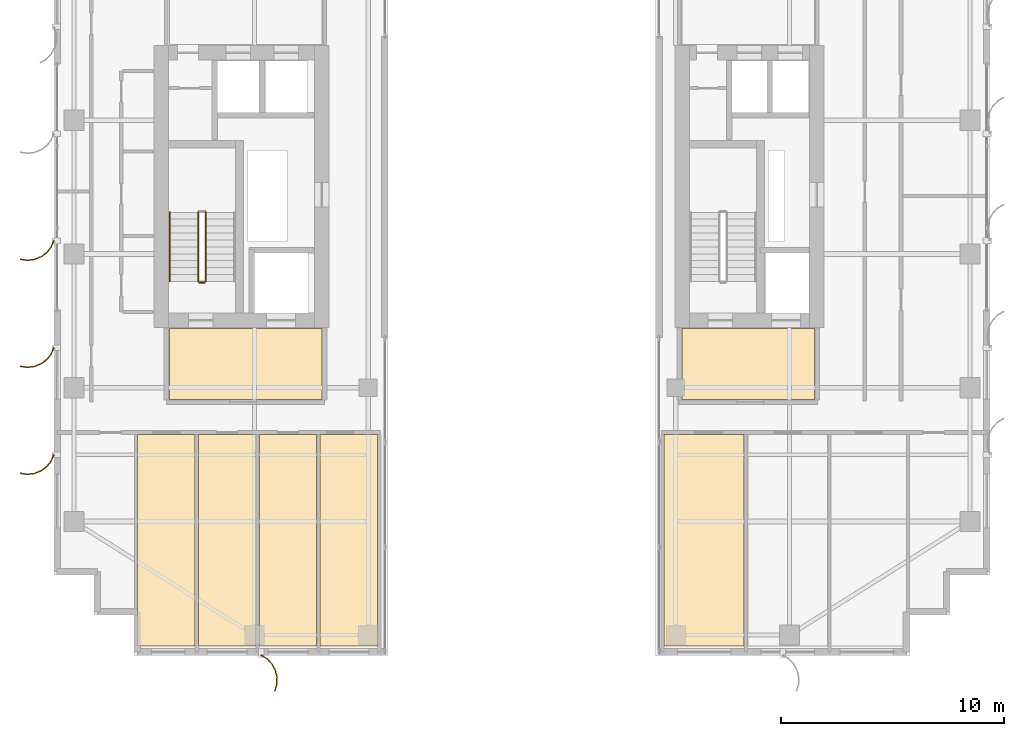
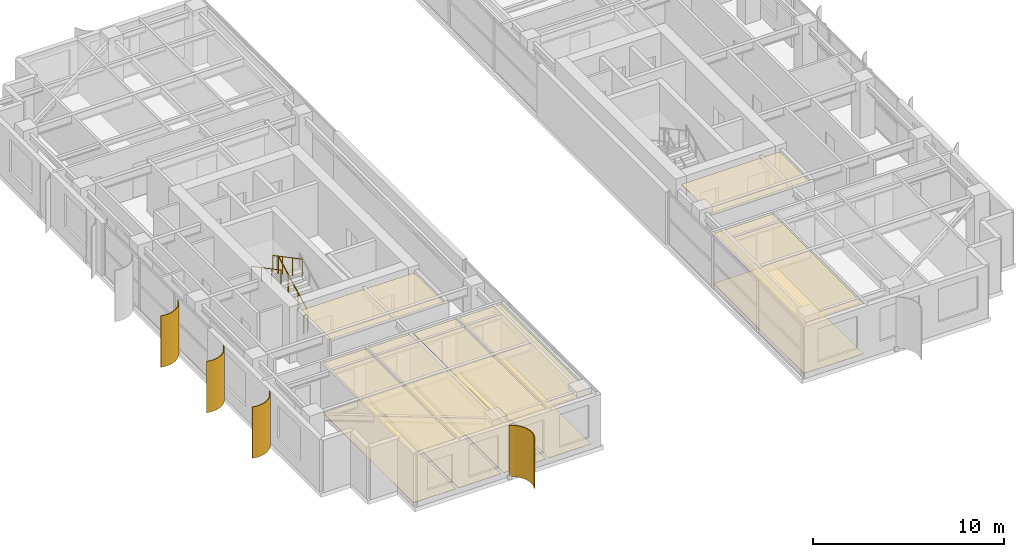
# One storey, part 20 of 22: 12 coverings, 4 railings, 4 shading devices.
"""IFC4 building model written with IfcOpenShell, lengths in metres."""

from ifc_helpers import new_model, si_unit, direction, frame, origin, origin_2d, place, context, subcontext, project, spatial, polyline, circle, outline, extrude, source, transform, mapped, material, layer, layer_set, type_object, element, save


model = new_model("IFC4")

# Units and contexts
model_context = context("Model", 3, precision=1e-05, world=origin(), true_north=direction((0.0, 1.0)))
body_context = subcontext(model_context, "Body", "Model", "MODEL_VIEW")
ifc_project = project(units=[si_unit("LENGTHUNIT", "METRE"), si_unit("AREAUNIT", "SQUARE_METRE"), si_unit("VOLUMEUNIT", "CUBIC_METRE"), si_unit("PLANEANGLEUNIT", "RADIAN"), si_unit("MASSUNIT", "GRAM", prefix="KILO")], contexts=[model_context])

# Site, building, storey
site_placement = place(None, origin())
site = spatial("IfcSite", under=ifc_project, at=site_placement, CompositionType="ELEMENT")
building_placement = place(site_placement, origin())
building = spatial("IfcBuilding", under=site, at=building_placement, Name="Khoralis Quay Care Tower", CompositionType="ELEMENT")
storey_placement = place(building_placement, frame((0.0, 0.0, 188.10009765625)))
storey = spatial("IfcBuildingStorey", under=building, at=storey_placement, Name="L49", CompositionType="ELEMENT", Elevation=188.10009765625)

# Coverings
ifc_material_1 = material(Name="Mineral-fibre acoustic ceiling tile")
ifc_layer_1 = layer(ifc_material_1, 0.01806640625)
ifc_layer_set_1 = layer_set([ifc_layer_1], Name="Mineral-fibre acoustic ceiling tile")
covering_type_1 = type_object("IfcCoveringType", Name="COV-CEIL-AC18", PredefinedType="CEILING", material=ifc_layer_set_1)
covering_1_placement = place(storey_placement, frame((0.0, 0.0, 3.19189453125)))
element("IfcCovering", 1, at=covering_1_placement, inside=storey, type_object=covering_type_1, Name="Suspended Acoustic Ceiling SP-L49-FFLOB-W", PredefinedType="CEILING", context=body_context, shape_type="SweptSolid", body=[
    extrude(outline(polyline([(8.179931640625, 11.47998046875), (15.02001953125, 11.47998046875), (15.02001953125, 14.64990234375), (8.179931640625, 14.64990234375), (8.179931640625, 11.47998046875)])), origin(), (0.0, 0.0, 1.0), 0.01806640625),
])
covering_2_placement = place(storey_placement, frame((0.0, 0.0, 3.19189453125)))
element("IfcCovering", 2, at=covering_2_placement, inside=storey, type_object=covering_type_1, Name="Suspended Acoustic Ceiling SP-L49-FFLOB-E", PredefinedType="CEILING", context=body_context, shape_type="SweptSolid", body=[
    extrude(outline(polyline([(31.179931640625, 11.47998046875), (37.1201171875, 11.47998046875), (37.1201171875, 14.64990234375), (31.179931640625, 14.64990234375), (31.179931640625, 11.47998046875)])), origin(), (0.0, 0.0, 1.0), 0.01806640625),
])
covering_3_placement = place(storey_placement, frame((0.0, 0.0, 3.19189453125)))
element("IfcCovering", 3, at=covering_3_placement, inside=storey, type_object=covering_type_1, Name="Suspended Acoustic Ceiling SP-L49-WS-COM0", PredefinedType="CEILING", context=body_context, shape_type="SweptSolid", body=[
    extrude(outline(polyline([(6.760009765625, 0.419921875), (9.330078125, 0.419921875), (9.330078125, 9.909912109375), (6.760009765625, 9.909912109375), (6.760009765625, 0.419921875)])), origin(), (0.0, 0.0, 1.0), 0.01806640625),
])
covering_4_placement = place(storey_placement, frame((0.0, 0.0, 3.19189453125)))
element("IfcCovering", 4, at=covering_4_placement, inside=storey, type_object=covering_type_1, Name="Suspended Acoustic Ceiling SP-L49-WS-COM1", PredefinedType="CEILING", context=body_context, shape_type="SweptSolid", body=[
    extrude(outline(polyline([(9.489990234375, 0.419921875), (12.06005859375, 0.419921875), (12.06005859375, 9.909912109375), (9.489990234375, 9.909912109375), (9.489990234375, 0.419921875)])), origin(), (0.0, 0.0, 1.0), 0.01806640625),
])
covering_5_placement = place(storey_placement, frame((0.0, 0.0, 3.19189453125)))
element("IfcCovering", 5, at=covering_5_placement, inside=storey, type_object=covering_type_1, Name="Suspended Acoustic Ceiling SP-L49-WS-COM2", PredefinedType="CEILING", context=body_context, shape_type="SweptSolid", body=[
    extrude(outline(polyline([(12.219970703125, 0.419921875), (14.7900390625, 0.419921875), (14.7900390625, 9.909912109375), (12.219970703125, 9.909912109375), (12.219970703125, 0.419921875)])), origin(), (0.0, 0.0, 1.0), 0.01806640625),
])
covering_6_placement = place(storey_placement, frame((0.0, 0.0, 3.19189453125)))
element("IfcCovering", 6, at=covering_6_placement, inside=storey, type_object=covering_type_1, Name="Suspended Acoustic Ceiling SP-L49-WS-COM3", PredefinedType="CEILING", context=body_context, shape_type="SweptSolid", body=[
    extrude(outline(polyline([(14.949951171875, 0.419921875), (17.52001953125, 0.419921875), (17.52001953125, 9.909912109375), (14.949951171875, 9.909912109375), (14.949951171875, 0.419921875)])), origin(), (0.0, 0.0, 1.0), 0.01806640625),
])
covering_7_placement = place(storey_placement, frame((0.0, 0.0, 3.19189453125)))
element("IfcCovering", 7, at=covering_7_placement, inside=storey, type_object=covering_type_1, Name="Suspended Acoustic Ceiling SP-L49-ES-COM0", PredefinedType="CEILING", context=body_context, shape_type="SweptSolid", body=[
    extrude(outline(polyline([(30.3798828125, 0.419921875), (33.969970703125, 0.419921875), (33.969970703125, 9.909912109375), (30.3798828125, 9.909912109375), (30.3798828125, 0.419921875)])), origin(), (0.0, 0.0, 1.0), 0.01806640625),
])
ifc_material_2 = material(Name="Porcelain and non-slip vinyl flooring")
ifc_layer_2 = layer(ifc_material_2, 0.02001953125)
ifc_layer_set_2 = layer_set([ifc_layer_2], Name="Porcelain and non-slip vinyl flooring")
covering_type_2 = type_object("IfcCoveringType", Name="COV-FLOOR-20", PredefinedType="FLOORING", material=ifc_layer_set_2)
covering_8_placement = place(storey_placement, origin())
element("IfcCovering", 8, at=covering_8_placement, inside=storey, type_object=covering_type_2, Name="Resilient Healthcare Flooring SP-L49-WS-COM0", PredefinedType="FLOORING", context=body_context, shape_type="SweptSolid", body=[
    extrude(outline(polyline([(6.760009765625, 0.419921875), (9.330078125, 0.419921875), (9.330078125, 9.909912109375), (6.760009765625, 9.909912109375), (6.760009765625, 0.419921875)])), origin(), (0.0, 0.0, 1.0), 0.02001953125),
])
covering_9_placement = place(storey_placement, origin())
element("IfcCovering", 9, at=covering_9_placement, inside=storey, type_object=covering_type_2, Name="Resilient Healthcare Flooring SP-L49-WS-COM1", PredefinedType="FLOORING", context=body_context, shape_type="SweptSolid", body=[
    extrude(outline(polyline([(9.489990234375, 0.419921875), (12.06005859375, 0.419921875), (12.06005859375, 9.909912109375), (9.489990234375, 9.909912109375), (9.489990234375, 0.419921875)])), origin(), (0.0, 0.0, 1.0), 0.02001953125),
])
covering_10_placement = place(storey_placement, origin())
element("IfcCovering", 10, at=covering_10_placement, inside=storey, type_object=covering_type_2, Name="Resilient Healthcare Flooring SP-L49-WS-COM2", PredefinedType="FLOORING", context=body_context, shape_type="SweptSolid", body=[
    extrude(outline(polyline([(12.219970703125, 0.419921875), (14.7900390625, 0.419921875), (14.7900390625, 9.909912109375), (12.219970703125, 9.909912109375), (12.219970703125, 0.419921875)])), origin(), (0.0, 0.0, 1.0), 0.02001953125),
])
covering_11_placement = place(storey_placement, origin())
element("IfcCovering", 11, at=covering_11_placement, inside=storey, type_object=covering_type_2, Name="Resilient Healthcare Flooring SP-L49-WS-COM3", PredefinedType="FLOORING", context=body_context, shape_type="SweptSolid", body=[
    extrude(outline(polyline([(14.949951171875, 0.419921875), (17.52001953125, 0.419921875), (17.52001953125, 9.909912109375), (14.949951171875, 9.909912109375), (14.949951171875, 0.419921875)])), origin(), (0.0, 0.0, 1.0), 0.02001953125),
])
covering_12_placement = place(storey_placement, origin())
element("IfcCovering", 12, at=covering_12_placement, inside=storey, type_object=covering_type_2, Name="Resilient Healthcare Flooring SP-L49-ES-COM0", PredefinedType="FLOORING", context=body_context, shape_type="SweptSolid", body=[
    extrude(outline(polyline([(30.3798828125, 0.419921875), (33.969970703125, 0.419921875), (33.969970703125, 9.909912109375), (30.3798828125, 9.909912109375), (30.3798828125, 0.419921875)])), origin(), (0.0, 0.0, 1.0), 0.02001953125),
])

# Railings
ifc_material_3 = material(Name="Brushed stainless steel", Category="steel")
railing_type_1 = type_object("IfcRailingType", Name="RL-GUARD-1150", PredefinedType="GUARDRAIL", material=ifc_material_3)
railing_1_placement = place(storey_placement, frame((9.820068359375, 16.77001953125, 0.16357421875)))
element("IfcRailing", 13, at=railing_1_placement, inside=storey, type_object=railing_type_1, Name="L49 ST-T1 stair guard 1", PredefinedType="GUARDRAIL", context=body_context, shape_type="SweptSolid", body=[
    extrude(circle(Radius=0.02392578125, at=origin_2d()), frame((0.0, 0.0, 1.1259765625), z_axis=(0.0, 0.884376766648, 0.46677375099), x_axis=(-1.0, 0.0, 0.0)), (0.0, 0.0, 1.0), 3.50537109375),
    extrude(circle(Radius=0.02099609375, at=origin_2d()), origin(), (0.0, 0.0, 1.0), 1.101806640625),
    extrude(circle(Radius=0.02099609375, at=origin_2d()), frame((0.0, 1.033447265625, 0.54541015625)), (0.0, 0.0, 1.0), 1.101806640625),
    extrude(circle(Radius=0.02099609375, at=origin_2d()), frame((0.0, 2.066650390625, 1.0908203125)), (0.0, 0.0, 1.0), 1.101806640625),
    extrude(circle(Radius=0.02099609375, at=origin_2d()), frame((0.0, 3.10009765625, 1.63623046875)), (0.0, 0.0, 1.0), 1.101806640625),
])
railing_2_placement = place(storey_placement, frame((9.47998046875, 19.8701171875, 1.963623046875)))
element("IfcRailing", 14, at=railing_2_placement, inside=storey, type_object=railing_type_1, Name="L49 ST-T1 stair guard 3", PredefinedType="GUARDRAIL", context=body_context, shape_type="SweptSolid", body=[
    extrude(circle(Radius=0.02392578125, at=origin_2d()), frame((0.0, 0.0, 1.1259765625), z_axis=(0.0, -0.884376766648, 0.46677375099), x_axis=(1.0, 0.0, 0.0)), (0.0, 0.0, 1.0), 3.50537109375),
    extrude(circle(Radius=0.02099609375, at=origin_2d()), origin(), (0.0, 0.0, 1.0), 1.101806640625),
    extrude(circle(Radius=0.02099609375, at=origin_2d()), frame((0.0, -1.033447265625, 0.54541015625)), (0.0, 0.0, 1.0), 1.101806640625),
    extrude(circle(Radius=0.02099609375, at=origin_2d()), frame((0.0, -2.066650390625, 1.0908203125)), (0.0, 0.0, 1.0), 1.101806640625),
    extrude(circle(Radius=0.02099609375, at=origin_2d()), frame((0.0, -3.10009765625, 1.63623046875)), (0.0, 0.0, 1.0), 1.101806640625),
])
railing_3_placement = place(storey_placement, frame((9.77001953125, 16.719970703125, 0.0)))
element("IfcRailing", 15, at=railing_3_placement, inside=storey, type_object=railing_type_1, Name="L49 ST-T1 stair guard 4", PredefinedType="GUARDRAIL", context=body_context, shape_type="SweptSolid", body=[
    extrude(circle(Radius=0.02392578125, at=origin_2d()), frame((0.0, 0.0, 1.1259765625), z_axis=(-1.0, 0.0, 0.0), x_axis=(0.0, -1.0, 0.0)), (0.0, 0.0, 1.0), 0.239990234375),
    extrude(circle(Radius=0.02099609375, at=origin_2d()), origin(), (0.0, 0.0, 1.0), 1.101806640625),
    extrude(circle(Radius=0.02099609375, at=origin_2d()), frame((-0.239990234375, 0.0, 0.0)), (0.0, 0.0, 1.0), 1.101806640625),
])
railing_type_2 = type_object("IfcRailingType", Name="RL-HAND-900", PredefinedType="HANDRAIL", material=ifc_material_3)
railing_4_placement = place(storey_placement, frame((8.199951171875, 19.8701171875, 1.963623046875)))
element("IfcRailing", 16, at=railing_4_placement, inside=storey, type_object=railing_type_2, Name="L49 ST-T1 stair handrail 2", PredefinedType="HANDRAIL", context=body_context, shape_type="SweptSolid", body=[
    extrude(circle(Radius=0.02392578125, at=origin_2d()), frame((0.0, 0.0, 0.8759765625), z_axis=(0.0, -0.884376766648, 0.46677375099), x_axis=(1.0, 0.0, 0.0)), (0.0, 0.0, 1.0), 3.50537109375),
    extrude(circle(Radius=0.02099609375, at=origin_2d()), origin(), (0.0, 0.0, 1.0), 0.851806640625),
    extrude(circle(Radius=0.02099609375, at=origin_2d()), frame((0.0, -1.033447265625, 0.54541015625)), (0.0, 0.0, 1.0), 0.851806640625),
    extrude(circle(Radius=0.02099609375, at=origin_2d()), frame((0.0, -2.066650390625, 1.0908203125)), (0.0, 0.0, 1.0), 0.851806640625),
    extrude(circle(Radius=0.02099609375, at=origin_2d()), frame((0.0, -3.10009765625, 1.63623046875)), (0.0, 0.0, 1.0), 0.851806640625),
])

# Shading devices
ifc_material_4 = material(Name="Brushed pale anodised aluminium", Category="aluminium")
ifc_layer_3 = layer(ifc_material_4, 0.044921875)
ifc_layer_set_3 = layer_set([ifc_layer_3], Name="Brushed pale anodised aluminium")
shading_device_type = type_object("IfcShadingDeviceType", Name="SHD-FIN-1250", PredefinedType="USERDEFINED", material=ifc_layer_set_3)
shared_shape_1 = source(origin(), body_context, "Body", "SweptSolid", [
    extrude(outline(polyline([(0.0, 0.0), (0.17041015625, 0.2783203125), (0.4072265625, 0.5029296875), (0.694091796875, 0.658447265625), (1.01123046875, 0.734619140625), (1.33740234375, 0.72607421875), (1.650390625, 0.633544921875), (1.632080078125, 0.59228515625), (1.330322265625, 0.681640625), (1.015869140625, 0.68994140625), (0.710205078125, 0.616455078125), (0.43359375, 0.466552734375), (0.20556640625, 0.25), (0.041015625, -0.018310546875), (0.0, 0.0)])), origin(), (0.0, 0.0, 1.0), 3.27978515625),
])
shading_device_placement = place(storey_placement, frame((12.300048828125, 0.030029296875, 0.02001953125), z_axis=(0.0, 0.0, 1.0), x_axis=(0.0, -1.0, 0.0)))
element("IfcShadingDevice", 17, at=shading_device_placement, inside=storey, type_object=shading_device_type, Name="L49 Curved Solar Fin P1E0-01", ObjectType="FIN", PredefinedType="USERDEFINED", context=body_context, shape_type="MappedRepresentation", body=[
    mapped(shared_shape_1, transform((0.0, 0.0, 0.0), scale=1.0)),
])
shared_shape_2 = source(origin(), body_context, "Body", "SweptSolid", [
    extrude(outline(polyline([(0.0, 0.0), (0.130126953125, 0.29931640625), (0.333251953125, 0.5546875), (0.595458984375, 0.748779296875), (0.899169921875, 0.868408203125), (1.223388671875, 0.9052734375), (1.546142578125, 0.85693359375), (1.53369140625, 0.813720703125), (1.22265625, 0.8603515625), (0.91015625, 0.82470703125), (0.617431640625, 0.70947265625), (0.364501953125, 0.522216796875), (0.168701171875, 0.276123046875), (0.043212890625, -0.012451171875), (0.0, 0.0)])), origin(), (0.0, 0.0, 1.0), 3.27978515625),
])
for number, where, z_axis, x_axis, name in (
    (18, (3.030029296875, 18.60009765625, 0.02001953125), (0.0, 0.0, 1.0), (-1.0, 0.0, 0.0), "L49 Curved Solar Fin P1E7-04"),
    (19, (3.030029296875, 13.800048828125, 0.02001953125), (0.0, 0.0, 1.0), (-1.0, 0.0, 0.0), "L49 Curved Solar Fin P1E7-05"),
    (20, (3.030029296875, 9.0, 0.02001953125), (0.0, 0.0, 1.0), (-1.0, 0.0, 0.0), "L49 Curved Solar Fin P1E7-06"),
):
    element("IfcShadingDevice", number, at=place(storey_placement, frame(where, z_axis=z_axis, x_axis=x_axis)), inside=storey, type_object=shading_device_type, Name=name, ObjectType="FIN", PredefinedType="USERDEFINED", context=body_context, shape_type="MappedRepresentation", body=[
        mapped(shared_shape_2, transform((0.0, 0.0, 0.0), scale=1.0)),
    ])

save(model, "model.ifc")
